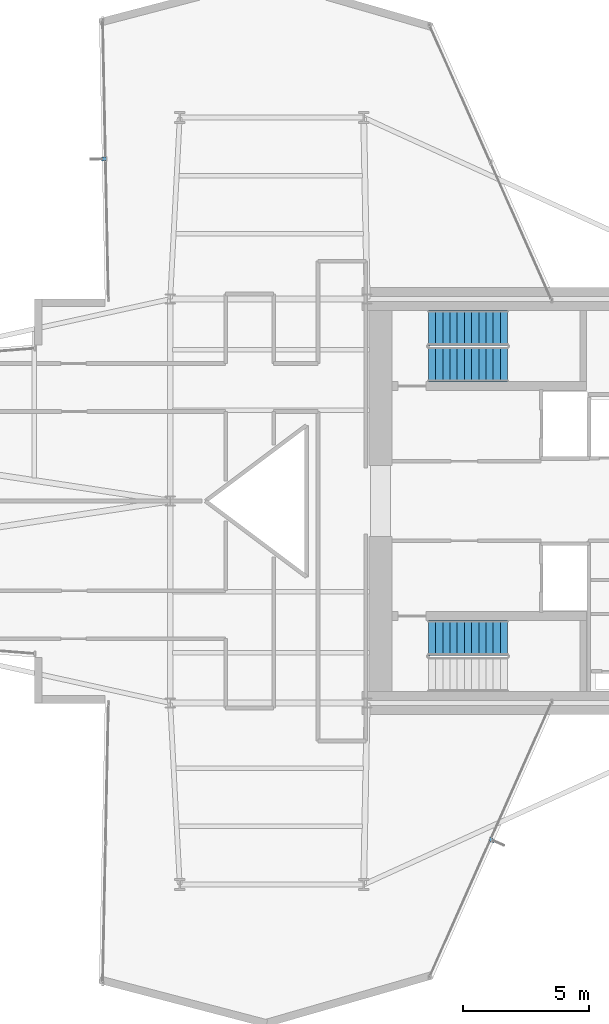
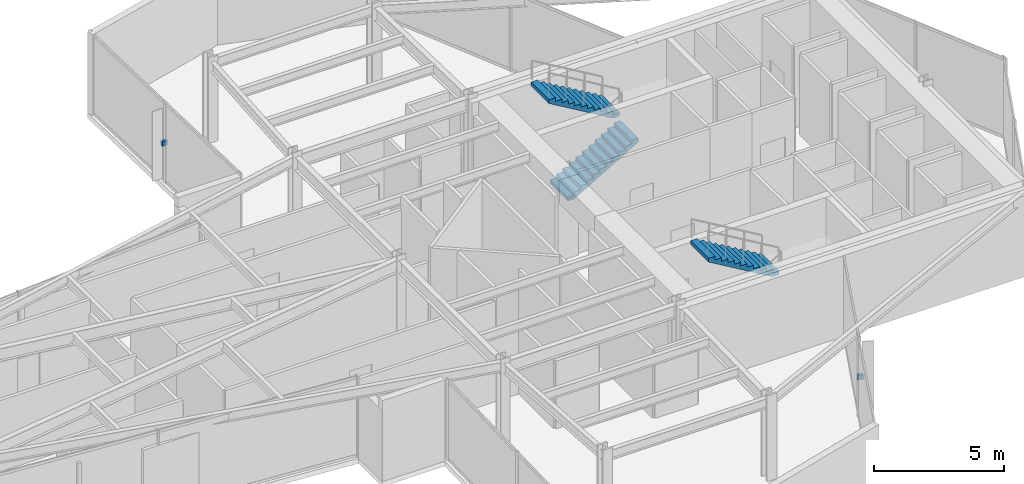
# One storey, part 22 of 23: 3 stair flights, 2 discrete accessories, 2 elements without a shape of their own.
"""IFC4 building model written with IfcOpenShell, lengths in metres."""

from ifc_helpers import new_model, si_unit, direction, frame, origin, origin_2d, place, context, subcontext, project, spatial, polyline, rectangle, outline, extrude, material, layer, layer_set, type_object, element, aggregate, save


model = new_model("IFC4")

# Units and contexts
model_context = context("Model", 3, precision=1e-05, world=origin(), true_north=direction((0.0, 1.0)))
body_context = subcontext(model_context, "Body", "Model", "MODEL_VIEW")
ifc_project = project(units=[si_unit("LENGTHUNIT", "METRE"), si_unit("AREAUNIT", "SQUARE_METRE"), si_unit("VOLUMEUNIT", "CUBIC_METRE"), si_unit("PLANEANGLEUNIT", "RADIAN"), si_unit("MASSUNIT", "GRAM", prefix="KILO")], contexts=[model_context])

# Site, building, storey
site_placement = place(None, origin())
site = spatial("IfcSite", under=ifc_project, at=site_placement, CompositionType="ELEMENT")
building_placement = place(site_placement, origin())
building = spatial("IfcBuilding", under=site, at=building_placement, Name="Veymaron Broadcast Tower", CompositionType="ELEMENT")
storey_placement = place(building_placement, frame((0.0, 0.0, 94.5)))
storey = spatial("IfcBuildingStorey", under=building, at=storey_placement, Name="L21", CompositionType="ELEMENT", Elevation=94.5)

# Stair, stair flights
ifc_material_1 = material(Name="Concrete C50/60", Category="concrete")
stair_type_1 = type_object("IfcStairType", Name="STAIR-CORE-1", PredefinedType="HALF_TURN_STAIR", material=ifc_material_1)
stair_1_placement = place(storey_placement, origin())
stair_1 = element("IfcStair", 1, at=stair_1_placement, inside=storey, type_object=stair_type_1, Name="L21 North protected dog-leg exit stair ST1", PredefinedType="HALF_TURN_STAIR")
ifc_material_2 = material(Name="Precast concrete C50/60", Category="concrete")
stair_flight_type = type_object("IfcStairFlightType", Name="FLT-CORE-RC", PredefinedType="STRAIGHT", material=ifc_material_2)
stair_flight_1_placement = place(storey_placement, frame((41.429931640625, 29.419921875, 0.0), z_axis=(0.0, 0.0, 1.0), x_axis=(1.0, 0.0, 0.0)))
stair_flight_1 = element("IfcStairFlight", 2, at=stair_flight_1_placement, type_object=stair_flight_type, Name="ST1 flight 1", NumberOfRisers=12, NumberOfTreads=11, PredefinedType="STRAIGHT", RiserHeight=0.16875, TreadLength=0.285, context=body_context, shape_type="SweptSolid", body=[
    extrude(outline(polyline([(0.0, 0.0), (0.0, 0.168701171875), (0.284912109375, 0.168701171875), (0.284912109375, 0.33740234375), (0.570068359375, 0.33740234375), (0.570068359375, 0.50634765625), (0.85498046875, 0.50634765625), (0.85498046875, 0.675048828125), (1.139892578125, 0.675048828125), (1.139892578125, 0.84375), (1.425048828125, 0.84375), (1.425048828125, 1.012451171875), (1.7099609375, 1.012451171875), (1.7099609375, 1.18115234375), (1.9951171875, 1.18115234375), (1.9951171875, 1.35009765625), (2.280029296875, 1.35009765625), (2.280029296875, 1.518798828125), (2.56494140625, 1.518798828125), (2.56494140625, 1.6875), (2.85009765625, 1.6875), (2.85009765625, 1.856201171875), (3.135009765625, 1.856201171875), (3.135009765625, 2.02490234375), (3.135009765625, 1.68212890625), (0.294189453125, 0.0), (0.0, 0.0)])), frame((0.0, 0.68994140625, 0.0), z_axis=(0.0, -1.0, 0.0), x_axis=(1.0, 0.0, 0.0)), (0.0, 0.0, 1.0), 1.3798828125),
])
stair_flight_2_placement = place(storey_placement, frame((44.56494140625, 30.860107421875, 2.02490234375), z_axis=(0.0, 0.0, 1.0), x_axis=(-1.0, 0.0, 0.0)))
stair_flight_2 = element("IfcStairFlight", 3, at=stair_flight_2_placement, type_object=stair_flight_type, Name="ST1 flight 2", NumberOfRisers=12, NumberOfTreads=11, PredefinedType="STRAIGHT", RiserHeight=0.16875, TreadLength=0.285, context=body_context, shape_type="SweptSolid", body=[
    extrude(outline(polyline([(0.0, 0.0), (0.0, 0.168701171875), (0.284912109375, 0.168701171875), (0.284912109375, 0.33740234375), (0.570068359375, 0.33740234375), (0.570068359375, 0.50634765625), (0.85498046875, 0.50634765625), (0.85498046875, 0.675048828125), (1.139892578125, 0.675048828125), (1.139892578125, 0.84375), (1.425048828125, 0.84375), (1.425048828125, 1.012451171875), (1.7099609375, 1.012451171875), (1.7099609375, 1.18115234375), (1.9951171875, 1.18115234375), (1.9951171875, 1.35009765625), (2.280029296875, 1.35009765625), (2.280029296875, 1.518798828125), (2.56494140625, 1.518798828125), (2.56494140625, 1.6875), (2.85009765625, 1.6875), (2.85009765625, 1.856201171875), (3.135009765625, 1.856201171875), (3.135009765625, 2.02490234375), (3.135009765625, 1.68212890625), (0.294189453125, 0.0), (0.0, 0.0)])), frame((0.0, 0.68994140625, 0.0), z_axis=(0.0, -1.0, 0.0), x_axis=(1.0, 0.0, 0.0)), (0.0, 0.0, 1.0), 1.3798828125),
])
aggregate(stair_1, [stair_flight_1, stair_flight_2])

# Stair, stair flight
stair_type_2 = type_object("IfcStairType", Name="STAIR-CORE-2", PredefinedType="HALF_TURN_STAIR", material=ifc_material_1)
stair_2_placement = place(storey_placement, origin())
stair_2 = element("IfcStair", 4, at=stair_2_placement, inside=storey, type_object=stair_type_2, Name="L21 South protected dog-leg exit stair ST2", PredefinedType="HALF_TURN_STAIR")
stair_flight_3_placement = place(storey_placement, frame((44.56494140625, 18.580078125, 2.02490234375), z_axis=(0.0, 0.0, 1.0), x_axis=(-1.0, 0.0, 0.0)))
stair_flight_3 = element("IfcStairFlight", 5, at=stair_flight_3_placement, type_object=stair_flight_type, Name="ST2 flight 2", NumberOfRisers=12, NumberOfTreads=11, PredefinedType="STRAIGHT", RiserHeight=0.16875, TreadLength=0.285, context=body_context, shape_type="SweptSolid", body=[
    extrude(outline(polyline([(0.0, 0.0), (0.0, 0.168701171875), (0.284912109375, 0.168701171875), (0.284912109375, 0.33740234375), (0.570068359375, 0.33740234375), (0.570068359375, 0.50634765625), (0.85498046875, 0.50634765625), (0.85498046875, 0.675048828125), (1.139892578125, 0.675048828125), (1.139892578125, 0.84375), (1.425048828125, 0.84375), (1.425048828125, 1.012451171875), (1.7099609375, 1.012451171875), (1.7099609375, 1.18115234375), (1.9951171875, 1.18115234375), (1.9951171875, 1.35009765625), (2.280029296875, 1.35009765625), (2.280029296875, 1.518798828125), (2.56494140625, 1.518798828125), (2.56494140625, 1.6875), (2.85009765625, 1.6875), (2.85009765625, 1.856201171875), (3.135009765625, 1.856201171875), (3.135009765625, 2.02490234375), (3.135009765625, 1.68212890625), (0.294189453125, 0.0), (0.0, 0.0)])), frame((0.0, 0.68994140625, 0.0), z_axis=(0.0, -1.0, 0.0), x_axis=(1.0, 0.0, 0.0)), (0.0, 0.0, 1.0), 1.3798828125),
])
aggregate(stair_2, [stair_flight_3])

# Discrete accessories
ifc_material_3 = material(Name="Austenitic stainless steel AISI 316L", Category="steel")
ifc_layer = layer(ifc_material_3, 0.1201171875)
ifc_layer_set = layer_set([ifc_layer], Name="Austenitic stainless steel AISI 316L")
discrete_accessory_type = type_object("IfcDiscreteAccessoryType", Name="ACC-BRKT-SS1", PredefinedType="BRACKET", material=ifc_layer_set)
for number, where, z_axis, x_axis, name in (
    (6, (28.580810546875, 37.55126953125, 1.794921875), (0.0, 0.0, 1.0), (-0.999786131926, -0.020680677198, 0.0), "CW-L21-E8-1 fin bracket 1"),
    (7, (43.9453125, 10.5693359375, 1.794921875), (0.0, 0.0, 1.0), (0.913914223823, -0.405907368121, 0.0), "CW-L21-E20-1 fin bracket 1"),
):
    element("IfcDiscreteAccessory", number, at=place(storey_placement, frame(where, z_axis=z_axis, x_axis=x_axis)), inside=storey, type_object=discrete_accessory_type, Name=name, PredefinedType="BRACKET", context=body_context, shape_type="SweptSolid", body=[
        extrude(rectangle(XDim=0.219970703125, YDim=0.139892578125, at=origin_2d()), origin(), (0.0, 0.0, 1.0), 0.219970703125),
    ])

save(model, "model.ifc")
